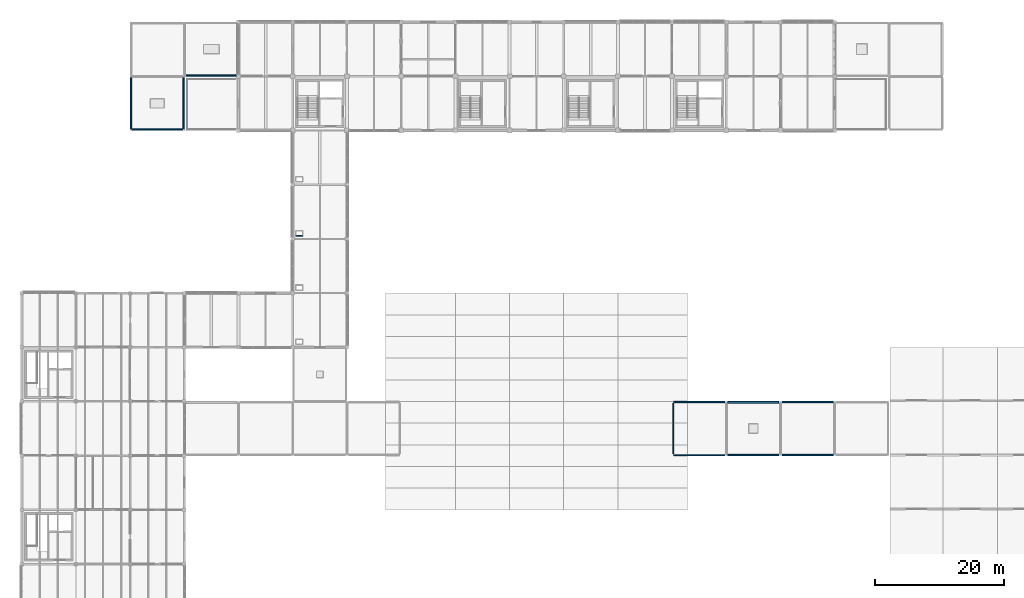
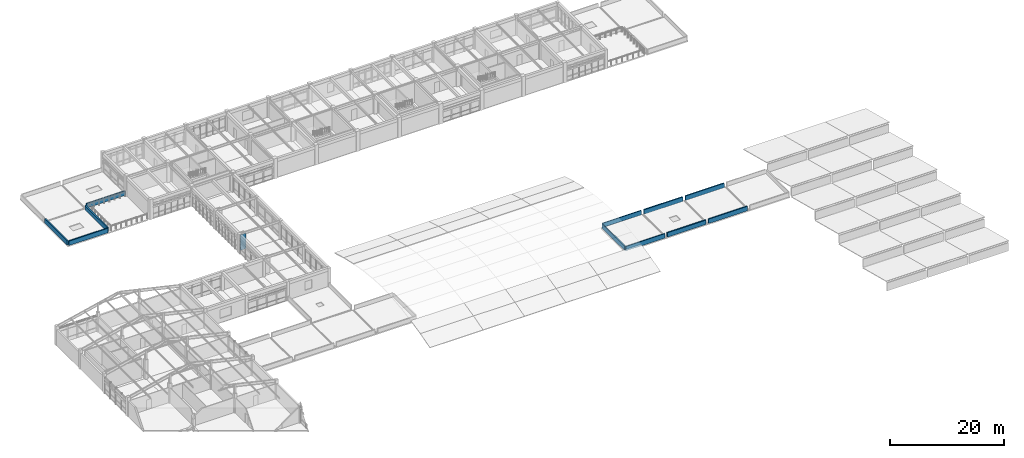
# One storey, part 33 of 40: 12 walls.
"""IFC4 building model written with IfcOpenShell, lengths in metres."""

from ifc_helpers import new_model, si_unit, direction, frame, frame_2d, origin, place, context, subcontext, project, spatial, rectangle, extrude, material, layer, layer_set, type_object, element, save


model = new_model("IFC4")

# Units and contexts
model_context = context("Model", 3, precision=1e-05, world=origin(), true_north=direction((0.0, 1.0)))
body_context = subcontext(model_context, "Body", "Model", "MODEL_VIEW")
ifc_project = project(units=[si_unit("LENGTHUNIT", "METRE"), si_unit("AREAUNIT", "SQUARE_METRE"), si_unit("VOLUMEUNIT", "CUBIC_METRE"), si_unit("PLANEANGLEUNIT", "RADIAN"), si_unit("MASSUNIT", "GRAM", prefix="KILO")], contexts=[model_context])

# Site, building, storey
site_placement = place(None, origin())
site = spatial("IfcSite", under=ifc_project, at=site_placement, CompositionType="ELEMENT")
building_placement = place(site_placement, origin())
building = spatial("IfcBuilding", under=site, at=building_placement, Name="Porcellanite Civic Hall", CompositionType="ELEMENT")
storey_placement = place(building_placement, frame((0.0, 0.0, 19.080078125)))
storey = spatial("IfcBuildingStorey", under=building, at=storey_placement, Name="L04", CompositionType="ELEMENT", Elevation=19.080078125)

# Walls
ifc_material_1 = material(Name="Fire-rated shaftwall plasterboard on steel studs", Category="steel")
ifc_layer_1 = layer(ifc_material_1, 0.117919921875)
ifc_layer_set_1 = layer_set([ifc_layer_1], Name="Fire-rated shaftwall plasterboard on steel studs")
wall_type_1 = type_object("IfcWallType", Name="IW-FR118", PredefinedType="PARTITIONING", material=ifc_layer_set_1)
wall_1_placement = place(storey_placement, frame((50.83203125, 84.490966796875, 0.0), z_axis=(0.0, 0.0, 1.0), x_axis=(1.0, 0.0, 0.0)))
element("IfcWall", 1, at=wall_1_placement, inside=storey, type_object=wall_type_1, Name="Fire riser shaftwall S L04 6-10", PredefinedType="PARTITIONING", context=body_context, shape_type="SweptSolid", body=[
    extrude(rectangle(XDim=1.135986328125, YDim=0.117919921875, at=frame_2d((0.56787109375, 0.0))), origin(), (0.0, 0.0, 1.0), 3.349853515625),
])
ifc_material_2 = material(Name="Precast concrete N40 (40 MPa)", Category="concrete")
ifc_layer_2 = layer(ifc_material_2, 0.25)
ifc_layer_set_2 = layer_set([ifc_layer_2], Name="Precast concrete N40 (40 MPa)")
wall_type_2 = type_object("IfcWallType", Name="WP-PAR1", PredefinedType="PARAPET", material=ifc_layer_set_2)
wall_2_placement = place(storey_placement, frame((33.340087890625, 100.925048828125, 0.0), z_axis=(0.0, 0.0, 1.0), x_axis=(-1.0, 0.0, 0.0)))
element("IfcWall", 2, at=wall_2_placement, inside=storey, type_object=wall_type_2, Name="Roof parapet L04 S 4-13", PredefinedType="PARAPET", context=body_context, shape_type="SweptSolid", body=[
    extrude(rectangle(XDim=7.880126953125, YDim=0.25, at=frame_2d((3.93994140625, 0.0))), origin(), (0.0, 0.0, 1.0), 0.949951171875),
])
for number, where, z_axis, x_axis, name in (
    (3, (25.324951171875, 101.06005859375, 0.0), (0.0, 0.0, 1.0), (0.0, 1.0, 0.0), "Roof parapet L04 W 4-13"),
    (4, (33.47509765625, 108.93994140625, 0.0), (0.0, 0.0, 1.0), (0.0, -1.0, 0.0), "Roof parapet L04 E 4-13"),
    (5, (125.739990234375, 50.52490234375, 0.0), (0.0, 0.0, 1.0), (-1.0, 0.0, 0.0), "Roof parapet L04 S 15-7"),
    (6, (117.860107421875, 58.675048828125, 0.0), (0.0, 0.0, 1.0), (1.0, 0.0, 0.0), "Roof parapet L04 N 15-7"),
):
    element("IfcWall", number, at=place(storey_placement, frame(where, z_axis=z_axis, x_axis=x_axis)), inside=storey, type_object=wall_type_2, Name=name, PredefinedType="PARAPET", context=body_context, shape_type="SweptSolid", body=[
        extrude(rectangle(XDim=7.8798828125, YDim=0.25, at=frame_2d((3.93994140625, 0.0))), origin(), (0.0, 0.0, 1.0), 0.949951171875),
    ])
ifc_material_3 = material(Name="Precast concrete N40 (40 MPa)", Category="concrete")
ifc_layer_3 = layer(ifc_material_3, 0.22998046875)
ifc_layer_set_3 = layer_set([ifc_layer_3], Name="Precast concrete N40 (40 MPa)")
wall_type_3 = type_object("IfcWallType", Name="WP-PAR2", PredefinedType="PARAPET", material=ifc_layer_set_3)
for number, where, z_axis, x_axis, name in (
    (7, (134.139892578125, 50.514892578125, 0.0), (0.0, 0.0, 1.0), (-1.0, 0.0, 0.0), "Roof parapet L04 S 16-7"),
    (8, (126.260009765625, 58.68505859375, 0.0), (0.0, 0.0, 1.0), (1.0, 0.0, 0.0), "Roof parapet L04 N 16-7"),
):
    element("IfcWall", number, at=place(storey_placement, frame(where, z_axis=z_axis, x_axis=x_axis)), inside=storey, type_object=wall_type_3, Name=name, PredefinedType="PARAPET", context=body_context, shape_type="SweptSolid", body=[
        extrude(rectangle(XDim=7.8798828125, YDim=0.22998046875, at=frame_2d((3.93994140625, 0.0))), origin(), (0.0, 0.0, 1.0), 0.949951171875),
    ])
ifc_material_4 = material(Name="Precast concrete N40 (40 MPa)", Category="concrete")
ifc_layer_4 = layer(ifc_material_4, 0.2099609375)
ifc_layer_set_4 = layer_set([ifc_layer_4], Name="Precast concrete N40 (40 MPa)")
wall_type_4 = type_object("IfcWallType", Name="WP-PAR3", PredefinedType="PARAPET", material=ifc_layer_set_4)
wall_3_placement = place(storey_placement, frame((41.739990234375, 109.304931640625, 0.0), z_axis=(0.0, 0.0, 1.0), x_axis=(-1.0, 0.0, 0.0)))
element("IfcWall", 9, at=wall_3_placement, inside=storey, type_object=wall_type_4, Name="Roof parapet L04 S 5-14", PredefinedType="PARAPET", context=body_context, shape_type="SweptSolid", body=[
    extrude(rectangle(XDim=7.8798828125, YDim=0.2099609375, at=frame_2d((3.93994140625, 0.0))), origin(), (0.0, 0.0, 1.0), 0.949951171875),
])
ifc_material_5 = material(Name="Precast concrete N40 (40 MPa)", Category="concrete")
ifc_layer_5 = layer(ifc_material_5, 0.169921875)
ifc_layer_set_5 = layer_set([ifc_layer_5], Name="Precast concrete N40 (40 MPa)")
wall_type_5 = type_object("IfcWallType", Name="WP-PAR5", PredefinedType="PARAPET", material=ifc_layer_set_5)
for number, where, z_axis, x_axis, name in (
    (10, (117.340087890625, 50.485107421875, 0.0), (0.0, 0.0, 1.0), (-1.0, 0.0, 0.0), "Roof parapet L04 S 14-7"),
    (11, (109.405029296875, 50.659912109375, 0.0), (0.0, 0.0, 1.0), (0.0, 1.0, 0.0), "Roof parapet L04 W 14-7"),
    (12, (109.4599609375, 58.715087890625, 0.0), (0.0, 0.0, 1.0), (1.0, 0.0, 0.0), "Roof parapet L04 N 14-7"),
):
    element("IfcWall", number, at=place(storey_placement, frame(where, z_axis=z_axis, x_axis=x_axis)), inside=storey, type_object=wall_type_5, Name=name, PredefinedType="PARAPET", context=body_context, shape_type="SweptSolid", body=[
        extrude(rectangle(XDim=7.880126953125, YDim=0.169921875, at=frame_2d((3.93994140625, 0.0))), origin(), (0.0, 0.0, 1.0), 0.949951171875),
    ])

save(model, "model.ifc")
